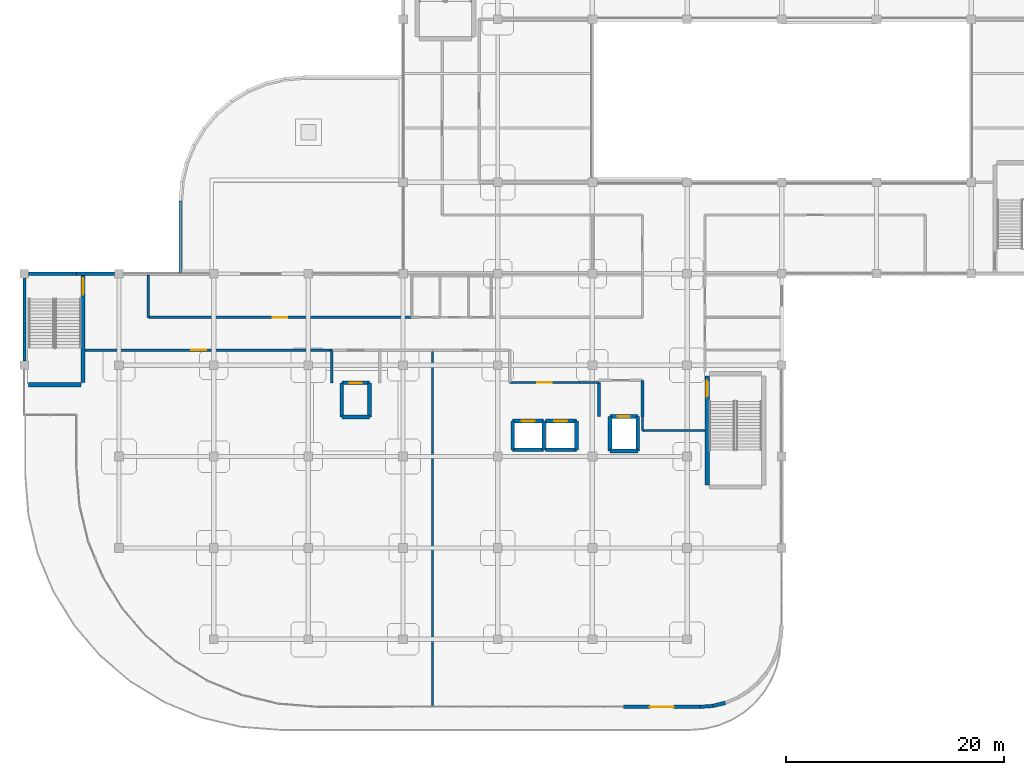
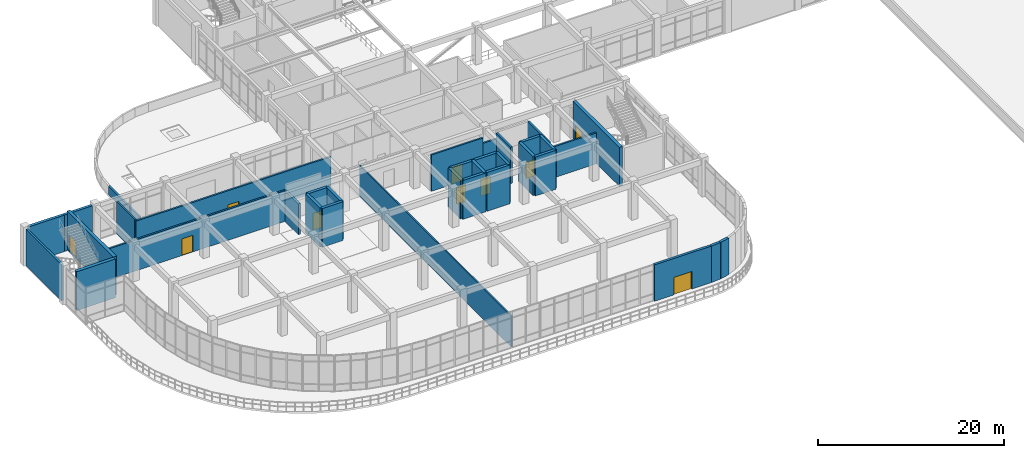
# One storey, part 104 of 124: 36 walls, 10 doors, 10 openings.
"""IFC4 building model written with IfcOpenShell, lengths in metres."""

from ifc_helpers import new_model, si_unit, derived_unit, direction, frame, frame_2d, origin, place, context, subcontext, project, spatial, rectangle, extrude, material, layer, layer_set, type_object, element, fill, save


model = new_model("IFC4")

# Units and contexts
model_context = context("Model", 3, precision=1e-05, world=origin(), true_north=direction((0.0, 1.0)))
body_context = subcontext(model_context, "Body", "Model", "MODEL_VIEW")
ifc_project = project(units=[si_unit("LENGTHUNIT", "METRE"), si_unit("AREAUNIT", "SQUARE_METRE"), si_unit("VOLUMEUNIT", "CUBIC_METRE"), si_unit("PLANEANGLEUNIT", "RADIAN"), si_unit("MASSUNIT", "GRAM", prefix="KILO"), derived_unit("THERMALTRANSMITTANCEUNIT", [(si_unit("MASSUNIT", "GRAM", prefix="KILO"), 1), (si_unit("TIMEUNIT", "SECOND"), -3), (si_unit("THERMODYNAMICTEMPERATUREUNIT", "KELVIN"), -1)])], contexts=[model_context])

# Site, building, storey
site_placement = place(None, origin())
site = spatial("IfcSite", under=ifc_project, at=site_placement, CompositionType="ELEMENT")
building_placement = place(site_placement, origin())
building = spatial("IfcBuilding", under=site, at=building_placement, Name="Qinzheling Arcade Emporium", CompositionType="ELEMENT")
storey_placement = place(building_placement, frame((0.0, 0.0, 16.5)))
storey = spatial("IfcBuildingStorey", under=building, at=storey_placement, Name="L04", CompositionType="ELEMENT", Elevation=16.5)

# Wall, opening, door
ifc_material_1 = material(Name="Double-stud acoustic gypsum board partition")
ifc_layer_1 = layer(ifc_material_1, 0.215087890625, Name="Double-stud acoustic gypsum board partition")
ifc_layer_set_1 = layer_set([ifc_layer_1], Name="Double-stud acoustic gypsum board partition")
wall_type_1 = type_object("IfcWallType", Name="Acoustic Corridor Partition Wall 215", PredefinedType="PARTITIONING", material=ifc_layer_set_1)
wall_1_placement = place(storey_placement, frame((44.60009765625, 32.0, 0.0), z_axis=(0.0, 0.0, 1.0), x_axis=(1.0, 0.0, 0.0)))
wall_1 = element("IfcWall", 1, at=wall_1_placement, inside=storey, type_object=wall_type_1, Name="Interior Wall WL-L04-INT-0598", PredefinedType="PARTITIONING", context=body_context, shape_type="SweptSolid", body=[
    extrude(rectangle(XDim=6.39990234375, YDim=0.215087890625, at=frame_2d((3.199951171875, 0.0))), origin(), (0.0, 0.0, 1.0), 4.760009765625),
])
opening_1_placement = place(wall_1_placement, frame((2.52490234375, 0.0, 0.0)))
opening_1 = element("IfcOpeningElement", 2, at=opening_1_placement, cuts=wall_1, Name="Opening FD05", PredefinedType="OPENING", context=body_context, shape_type="SweptSolid", body=[
    extrude(rectangle(XDim=1.35009765625, YDim=2.199951171875, at=frame_2d((0.675048828125, 1.10009765625))), frame((0.0, 0.11767578125, 0.0), z_axis=(0.0, -1.0, 0.0), x_axis=(1.0, 0.0, 0.0)), (0.0, 0.0, 1.0), 0.235107421875),
])
ifc_material_2 = material(Name="Class B fire-rated stainless-clad door")
door_type_1 = type_object("IfcDoorType", Name="Kitchen Fire-Rated Service Door 1350x2200", OperationType="NOTDEFINED", PredefinedType="DOOR", material=ifc_material_2)
door_1_placement = place(opening_1_placement, origin())
door_1 = element("IfcDoor", 3, at=door_1_placement, inside=storey, type_object=door_type_1, Name="FD05 Interior Door DR-L04-INT-0166", OperationType="SINGLE_SWING_LEFT", OverallHeight=2.199951171875, OverallWidth=1.35009765625, PredefinedType="DOOR", context=body_context, shape_type="SweptSolid", body=[
    extrude(rectangle(XDim=1.35009765625, YDim=2.199951171875, at=frame_2d((0.675048828125, 1.10009765625))), frame((0.0, 0.02490234375, 0.0), z_axis=(0.0, -1.0, 0.0), x_axis=(1.0, 0.0, 0.0)), (0.0, 0.0, 1.0), 0.050048828125),
])
fill(opening_1, door_1)

# Wall
wall_2_placement = place(storey_placement, frame((11.39990234375, 41.89990234375, 0.0), z_axis=(0.0, 0.0, 1.0), x_axis=(0.0, -1.0, 0.0)))
element("IfcWall", 4, at=wall_2_placement, inside=storey, type_object=wall_type_1, Name="Interior Wall WL-L04-INT-0639", PredefinedType="PARTITIONING", context=body_context, shape_type="SweptSolid", body=[
    extrude(rectangle(XDim=3.89990234375, YDim=0.215087890625, at=frame_2d((1.949951171875, 0.0))), origin(), (0.0, 0.0, 1.0), 4.260009765625),
])

# Wall, opening, door
wall_3_placement = place(storey_placement, frame((11.39990234375, 38.0, 0.0), z_axis=(0.0, 0.0, 1.0), x_axis=(1.0, 0.0, 0.0)))
wall_3 = element("IfcWall", 5, at=wall_3_placement, inside=storey, type_object=wall_type_1, Name="Interior Wall WL-L04-INT-0640", PredefinedType="PARTITIONING", context=body_context, shape_type="SweptSolid", body=[
    extrude(rectangle(XDim=24.2001953125, YDim=0.215087890625, at=frame_2d((12.10009765625, 0.0))), origin(), (0.0, 0.0, 1.0), 4.06005859375),
])
opening_2_placement = place(wall_3_placement, frame((11.425048828125, 0.0, 0.0)))
opening_2 = element("IfcOpeningElement", 6, at=opening_2_placement, cuts=wall_3, Name="Opening FD05", PredefinedType="OPENING", context=body_context, shape_type="SweptSolid", body=[
    extrude(rectangle(XDim=1.35009765625, YDim=2.199951171875, at=frame_2d((0.675048828125, 1.10009765625))), frame((0.0, 0.11767578125, 0.0), z_axis=(0.0, -1.0, 0.0), x_axis=(1.0, 0.0, 0.0)), (0.0, 0.0, 1.0), 0.235107421875),
])
door_2_placement = place(opening_2_placement, origin())
door_2 = element("IfcDoor", 7, at=door_2_placement, inside=storey, type_object=door_type_1, Name="FD05 Interior Door DR-L04-INT-0176", OperationType="SINGLE_SWING_LEFT", OverallHeight=2.199951171875, OverallWidth=1.35009765625, PredefinedType="DOOR", context=body_context, shape_type="SweptSolid", body=[
    extrude(rectangle(XDim=1.35009765625, YDim=2.199951171875, at=frame_2d((0.675048828125, 1.10009765625))), frame((0.0, 0.02490234375, 0.0), z_axis=(0.0, -1.0, 0.0), x_axis=(1.0, 0.0, 0.0)), (0.0, 0.0, 1.0), 0.050048828125),
])
fill(opening_2, door_2)

wall_4_placement = place(storey_placement, frame((28.25, 34.97998046875, 0.0), z_axis=(0.0, 0.0, 1.0), x_axis=(-1.0, 0.0, 0.0)))
wall_4 = element("IfcWall", 8, at=wall_4_placement, inside=storey, type_object=wall_type_1, Name="Interior Wall WL-L04-INT-0643", PredefinedType="PARTITIONING", context=body_context, shape_type="SweptSolid", body=[
    extrude(rectangle(XDim=22.655029296875, YDim=0.215087890625, at=frame_2d((11.32763671875, 0.0))), origin(), (0.0, 0.0, 1.0), 4.06005859375),
])
opening_3_placement = place(wall_4_placement, frame((11.552978515625, 0.0, 0.0)))
opening_3 = element("IfcOpeningElement", 9, at=opening_3_placement, cuts=wall_4, Name="Opening FD05", PredefinedType="OPENING", context=body_context, shape_type="SweptSolid", body=[
    extrude(rectangle(XDim=1.35009765625, YDim=2.199951171875, at=frame_2d((0.675048828125, 1.10009765625))), frame((0.0, 0.11767578125, 0.0), z_axis=(0.0, -1.0, 0.0), x_axis=(1.0, 0.0, 0.0)), (0.0, 0.0, 1.0), 0.235107421875),
])
door_3_placement = place(opening_3_placement, origin())
door_3 = element("IfcDoor", 10, at=door_3_placement, inside=storey, type_object=door_type_1, Name="FD05 Interior Door DR-L04-INT-0177", OperationType="SINGLE_SWING_RIGHT", OverallHeight=2.199951171875, OverallWidth=1.35009765625, PredefinedType="DOOR", context=body_context, shape_type="SweptSolid", body=[
    extrude(rectangle(XDim=1.35009765625, YDim=2.199951171875, at=frame_2d((0.675048828125, 1.10009765625))), frame((0.0, 0.02490234375, 0.0), z_axis=(0.0, -1.0, 0.0), x_axis=(1.0, 0.0, 0.0)), (0.0, 0.0, 1.0), 0.050048828125),
])
fill(opening_3, door_3)

# Walls
wall_5_placement = place(storey_placement, frame((52.800048828125, 32.0, 0.0), z_axis=(0.0, 0.0, 1.0), x_axis=(-1.0, 0.0, 0.0)))
element("IfcWall", 11, at=wall_5_placement, inside=storey, type_object=wall_type_1, Name="Interior Wall WL-L04-INT-0647", PredefinedType="PARTITIONING", context=body_context, shape_type="SweptSolid", body=[
    extrude(rectangle(XDim=1.800048828125, YDim=0.215087890625, at=frame_2d((0.89990234375, 0.0))), origin(), (0.0, 0.0, 1.0), 4.06005859375),
])
wall_6_placement = place(storey_placement, frame((62.544921875, 27.60009765625, 0.0), z_axis=(0.0, 0.0, 1.0), x_axis=(-1.0, 0.0, 0.0)))
element("IfcWall", 12, at=wall_6_placement, inside=storey, type_object=wall_type_1, Name="Interior Wall WL-L04-INT-0648", PredefinedType="PARTITIONING", context=body_context, shape_type="SweptSolid", body=[
    extrude(rectangle(XDim=5.744873046875, YDim=0.215087890625, at=frame_2d((2.87255859375, 0.0))), origin(), (0.0, 0.0, 1.0), 4.06005859375),
])
wall_7_placement = place(storey_placement, frame((56.800048828125, 27.60009765625, 0.0), z_axis=(0.0, 0.0, 1.0), x_axis=(0.0, 1.0, 0.0)))
element("IfcWall", 13, at=wall_7_placement, inside=storey, type_object=wall_type_1, Name="Interior Wall WL-L04-INT-0649", PredefinedType="PARTITIONING", context=body_context, shape_type="SweptSolid", body=[
    extrude(rectangle(XDim=1.27978515625, YDim=0.215087890625, at=frame_2d((0.639892578125, 0.0))), origin(), (0.0, 0.0, 1.0), 4.760009765625),
])
ifc_material_3 = material(Name="Insulated aluminium-clad spandrel wall", Category="aluminium")
ifc_layer_2 = layer(ifc_material_3, 0.260009765625, Name="Insulated aluminium-clad spandrel wall", Category="aluminium")
ifc_layer_set_2 = layer_set([ifc_layer_2], Name="Insulated aluminium-clad spandrel wall")
wall_type_2 = type_object("IfcWallType", Name="Arcade Clerestory Spandrel Wall 260", PredefinedType="STANDARD", material=ifc_layer_set_2)
wall_8_placement = place(storey_placement, frame((0.0, 34.001953125, 0.0), z_axis=(0.0, 0.0, 1.0), x_axis=(0.0, 1.0, 0.0)))
element("IfcWall", 14, at=wall_8_placement, inside=storey, type_object=wall_type_2, Name="Exterior Wall WL-L04-EW-0232", PredefinedType="STANDARD", context=body_context, shape_type="SweptSolid", body=[
    extrude(rectangle(XDim=7.595947265625, YDim=0.260009765625, at=frame_2d((3.7978515625, 0.0))), origin(), (0.0, 0.0, 1.0), 4.7900390625),
])
ifc_material_4 = material(Name="Demountable aluminium-and-gypsum retail partition", Category="aluminium")
ifc_layer_3 = layer(ifc_material_4, 0.1650390625, Name="Demountable aluminium-and-gypsum retail partition", Category="aluminium")
ifc_layer_set_3 = layer_set([ifc_layer_3], Name="Demountable aluminium-and-gypsum retail partition")
wall_type_3 = type_object("IfcWallType", Name="Boutique Demountable Partition Wall 165", PredefinedType="PARTITIONING", material=ifc_layer_set_3)
wall_9_placement = place(storey_placement, frame((37.5, 34.97998046875, 0.0), z_axis=(0.0, 0.0, 1.0), x_axis=(0.0, -1.0, 0.0)))
element("IfcWall", 15, at=wall_9_placement, inside=storey, type_object=wall_type_3, Name="Interior Wall WL-L04-INT-0680", PredefinedType="PARTITIONING", context=body_context, shape_type="SweptSolid", body=[
    extrude(rectangle(XDim=32.679931640625, YDim=0.1650390625, at=frame_2d((16.33984375, 0.0))), origin(), (0.0, 0.0, 1.0), 4.06005859375),
])
ifc_material_5 = material(Name="Celadon glazed terracotta insulated spandrel", Category="masonry")
ifc_layer_4 = layer(ifc_material_5, 0.340087890625, Name="Celadon glazed terracotta insulated spandrel", Category="masonry")
ifc_layer_set_4 = layer_set([ifc_layer_4], Name="Celadon glazed terracotta insulated spandrel")
wall_type_4 = type_object("IfcWallType", Name="Celadon Spandrel Infill Wall 340", PredefinedType="STANDARD", material=ifc_layer_set_4)
wall_10_placement = place(storey_placement, frame((64.41796875, 2.56689453125, 0.0), z_axis=(0.0, 0.0, 1.0), x_axis=(-0.97236847933, -0.233451366253, 0.0)))
element("IfcWall", 16, at=wall_10_placement, inside=storey, type_object=wall_type_4, Name="Exterior Wall WL-L04-EW-0229", PredefinedType="STANDARD", context=body_context, shape_type="SweptSolid", body=[
    extrude(rectangle(XDim=1.177490234375, YDim=0.340087890625, at=frame_2d((0.5888671875, 0.0))), origin(), (0.0, 0.0, 1.0), 4.7900390625),
])
wall_11_placement = place(storey_placement, frame((0.402099609375, 42.0, 0.0), z_axis=(0.0, 0.0, 1.0), x_axis=(1.0, 0.0, 0.0)))
element("IfcWall", 17, at=wall_11_placement, inside=storey, type_object=wall_type_4, Name="Exterior Wall WL-L04-EW-0233", PredefinedType="STANDARD", context=body_context, shape_type="SweptSolid", body=[
    extrude(rectangle(XDim=4.39794921875, YDim=0.340087890625, at=frame_2d((2.198974609375, 0.0))), origin(), (0.0, 0.0, 1.0), 4.7900390625),
])
ifc_material_6 = material(Name="Glazed cream terracotta insulated wall", Category="masonry")
ifc_layer_5 = layer(ifc_material_6, 0.320068359375, Name="Glazed cream terracotta insulated wall", Category="masonry")
ifc_layer_set_5 = layer_set([ifc_layer_5], Name="Glazed cream terracotta insulated wall")
wall_type_5 = type_object("IfcWallType", Name="Chicago Frame Infill Wall 320", PredefinedType="STANDARD", material=ifc_layer_set_5)
wall_12_placement = place(storey_placement, frame((63.27294921875, 2.2919921875, 0.0), z_axis=(0.0, 0.0, 1.0), x_axis=(-0.996934887725, -0.078235731197, 0.0)))
element("IfcWall", 18, at=wall_12_placement, inside=storey, type_object=wall_type_5, Name="Exterior Wall WL-L04-EW-0230", PredefinedType="STANDARD", context=body_context, shape_type="SweptSolid", body=[
    extrude(rectangle(XDim=1.176513671875, YDim=0.320068359375, at=frame_2d((0.58837890625, 0.0))), origin(), (0.0, 0.0, 1.0), 4.7900390625),
])
wall_13_placement = place(storey_placement, frame((4.800048828125, 42.0, 0.0), z_axis=(0.0, 0.0, 1.0), x_axis=(1.0, 0.0, 0.0)))
element("IfcWall", 19, at=wall_13_placement, inside=storey, type_object=wall_type_5, Name="Exterior Wall WL-L04-EW-0234", PredefinedType="STANDARD", context=body_context, shape_type="SweptSolid", body=[
    extrude(rectangle(XDim=3.498046875, YDim=0.320068359375, at=frame_2d((1.7490234375, 0.0))), origin(), (0.0, 0.0, 1.0), 4.7900390625),
])
ifc_material_7 = material(Name="Fire-rated double-stud gypsum and mineral wool wall")
ifc_layer_6 = layer(ifc_material_7, 0.2451171875, Name="Fire-rated double-stud gypsum and mineral wool wall")
ifc_layer_set_6 = layer_set([ifc_layer_6], Name="Fire-rated double-stud gypsum and mineral wool wall")
wall_type_6 = type_object("IfcWallType", Name="Firefighting Lobby Rated Wall 245", PredefinedType="STANDARD", material=ifc_layer_set_6)
wall_14_placement = place(storey_placement, frame((56.800048828125, 32.199951171875, 0.0), z_axis=(0.0, 0.0, 1.0), x_axis=(0.0, -1.0, 0.0)))
element("IfcWall", 20, at=wall_14_placement, inside=storey, type_object=wall_type_6, Name="Interior Wall WL-L04-INT-0590", PredefinedType="STANDARD", context=body_context, shape_type="SweptSolid", body=[
    extrude(rectangle(XDim=3.320068359375, YDim=0.2451171875, at=frame_2d((1.66015625, 0.0))), origin(), (0.0, 0.0, 1.0), 4.760009765625),
])
wall_15_placement = place(storey_placement, frame((52.800048828125, 28.8798828125, 0.0), z_axis=(0.0, 0.0, 1.0), x_axis=(0.0, 1.0, 0.0)))
element("IfcWall", 21, at=wall_15_placement, inside=storey, type_object=wall_type_6, Name="Interior Wall WL-L04-INT-0591", PredefinedType="STANDARD", context=body_context, shape_type="SweptSolid", body=[
    extrude(rectangle(XDim=3.1201171875, YDim=0.2451171875, at=frame_2d((1.56005859375, 0.0))), origin(), (0.0, 0.0, 1.0), 4.760009765625),
])
wall_16_placement = place(storey_placement, frame((28.25, 31.97998046875, 0.0), z_axis=(0.0, 0.0, 1.0), x_axis=(0.0, 1.0, 0.0)))
element("IfcWall", 22, at=wall_16_placement, inside=storey, type_object=wall_type_6, Name="Interior Wall WL-L04-INT-0593", PredefinedType="STANDARD", context=body_context, shape_type="SweptSolid", body=[
    extrude(rectangle(XDim=3.0, YDim=0.2451171875, at=frame_2d((1.5, 0.0))), origin(), (0.0, 0.0, 1.0), 4.06005859375),
])

# Wall, opening, door
ifc_material_8 = material(Name="Concrete C40", Category="concrete")
ifc_layer_7 = layer(ifc_material_8, 0.35009765625, Name="Concrete C40", Category="concrete")
ifc_layer_set_7 = layer_set([ifc_layer_7], Name="Concrete C40")
wall_type_7 = type_object("IfcWallType", Name="RC Lift Shaft Shear Wall 350 C40", PredefinedType="SHEAR", material=ifc_layer_set_7)
wall_17_placement = place(storey_placement, frame((53.824951171875, 28.875, 0.0), z_axis=(0.0, 0.0, 1.0), x_axis=(1.0, 0.0, 0.0)))
wall_17 = element("IfcWall", 23, at=wall_17_placement, inside=storey, type_object=wall_type_7, Name="Lift Shaft Wall WL-L04-LFT-LF01-N", PredefinedType="SHEAR", context=body_context, shape_type="SweptSolid", body=[
    extrude(rectangle(XDim=2.550048828125, YDim=0.35009765625, at=frame_2d((1.27490234375, 0.0))), origin(), (0.0, 0.0, 1.0), 5.10009765625),
])
opening_4_placement = place(wall_17_placement, frame((0.72509765625, 0.0, 0.0)))
opening_4 = element("IfcOpeningElement", 24, at=opening_4_placement, cuts=wall_17, Name="Opening LD01", PredefinedType="OPENING", context=body_context, shape_type="SweptSolid", body=[
    extrude(rectangle(XDim=1.10009765625, YDim=2.199951171875, at=frame_2d((0.550048828125, 1.10009765625))), frame((0.0, 0.18505859375, 0.0), z_axis=(0.0, -1.0, 0.0), x_axis=(1.0, 0.0, 0.0)), (0.0, 0.0, 1.0), 0.3701171875),
])
ifc_material_9 = material(Name="Fire-rated stainless steel sliding lift door", Category="steel")
door_type_2 = type_object("IfcDoorType", Name="Firefighting Lift Sliding Landing Door 1100x2200", OperationType="DOUBLE_DOOR_SLIDING", PredefinedType="DOOR", material=ifc_material_9)
door_4_placement = place(opening_4_placement, origin())
door_4 = element("IfcDoor", 25, at=door_4_placement, inside=storey, type_object=door_type_2, Name="LD01 Lift Landing Door LF01 L04", OperationType="DOUBLE_DOOR_SLIDING", OverallHeight=2.199951171875, OverallWidth=1.10009765625, PredefinedType="DOOR", context=body_context, shape_type="SweptSolid", body=[
    extrude(rectangle(XDim=1.10009765625, YDim=2.199951171875, at=frame_2d((0.550048828125, 1.10009765625))), frame((0.0, 0.02490234375, 0.0), z_axis=(0.0, -1.0, 0.0), x_axis=(1.0, 0.0, 0.0)), (0.0, 0.0, 1.0), 0.050048828125),
])
fill(opening_4, door_4)

# Walls
wall_18_placement = place(storey_placement, frame((56.375, 25.72509765625, 0.0), z_axis=(0.0, 0.0, 1.0), x_axis=(-1.0, 0.0, 0.0)))
element("IfcWall", 26, at=wall_18_placement, inside=storey, type_object=wall_type_7, Name="Lift Shaft Wall WL-L04-LFT-LF01-S", PredefinedType="SHEAR", context=body_context, shape_type="SweptSolid", body=[
    extrude(rectangle(XDim=2.550048828125, YDim=0.35009765625, at=frame_2d((1.27490234375, 0.0))), origin(), (0.0, 0.0, 1.0), 5.10009765625),
])
for number, where, z_axis, x_axis, name in (
    (27, (53.824951171875, 25.72509765625, 0.0), (0.0, 0.0, 1.0), (0.0, 1.0, 0.0), "Lift Shaft Wall WL-L04-LFT-LF01-W"),
    (28, (56.375, 28.875, 0.0), (0.0, 0.0, 1.0), (0.0, -1.0, 0.0), "Lift Shaft Wall WL-L04-LFT-LF01-E"),
):
    element("IfcWall", number, at=place(storey_placement, frame(where, z_axis=z_axis, x_axis=x_axis)), inside=storey, type_object=wall_type_7, Name=name, PredefinedType="SHEAR", context=body_context, shape_type="SweptSolid", body=[
        extrude(rectangle(XDim=3.14990234375, YDim=0.35009765625, at=frame_2d((1.574951171875, 0.0))), origin(), (0.0, 0.0, 1.0), 5.10009765625),
    ])

# Wall, opening, door
wall_19_placement = place(storey_placement, frame((29.175048828125, 31.97509765625, 0.0), z_axis=(0.0, 0.0, 1.0), x_axis=(1.0, 0.0, 0.0)))
wall_19 = element("IfcWall", 29, at=wall_19_placement, inside=storey, type_object=wall_type_7, Name="Lift Shaft Wall WL-L04-LFT-LF02-N", PredefinedType="SHEAR", context=body_context, shape_type="SweptSolid", body=[
    extrude(rectangle(XDim=2.550048828125, YDim=0.35009765625, at=frame_2d((1.27490234375, 0.0))), origin(), (0.0, 0.0, 1.0), 5.10009765625),
])
opening_5_placement = place(wall_19_placement, frame((0.72509765625, 0.0, 0.0)))
opening_5 = element("IfcOpeningElement", 30, at=opening_5_placement, cuts=wall_19, Name="Opening LD01", PredefinedType="OPENING", context=body_context, shape_type="SweptSolid", body=[
    extrude(rectangle(XDim=1.10009765625, YDim=2.199951171875, at=frame_2d((0.550048828125, 1.10009765625))), frame((0.0, 0.18505859375, 0.0), z_axis=(0.0, -1.0, 0.0), x_axis=(1.0, 0.0, 0.0)), (0.0, 0.0, 1.0), 0.3701171875),
])
door_5_placement = place(opening_5_placement, origin())
door_5 = element("IfcDoor", 31, at=door_5_placement, inside=storey, type_object=door_type_2, Name="LD01 Lift Landing Door LF02 L04", OperationType="DOUBLE_DOOR_SLIDING", OverallHeight=2.199951171875, OverallWidth=1.10009765625, PredefinedType="DOOR", context=body_context, shape_type="SweptSolid", body=[
    extrude(rectangle(XDim=1.10009765625, YDim=2.199951171875, at=frame_2d((0.550048828125, 1.10009765625))), frame((0.0, 0.02490234375, 0.0), z_axis=(0.0, -1.0, 0.0), x_axis=(1.0, 0.0, 0.0)), (0.0, 0.0, 1.0), 0.050048828125),
])
fill(opening_5, door_5)

# Walls
wall_20_placement = place(storey_placement, frame((31.72509765625, 28.824951171875, 0.0), z_axis=(0.0, 0.0, 1.0), x_axis=(-1.0, 0.0, 0.0)))
element("IfcWall", 32, at=wall_20_placement, inside=storey, type_object=wall_type_7, Name="Lift Shaft Wall WL-L04-LFT-LF02-S", PredefinedType="SHEAR", context=body_context, shape_type="SweptSolid", body=[
    extrude(rectangle(XDim=2.550048828125, YDim=0.35009765625, at=frame_2d((1.27490234375, 0.0))), origin(), (0.0, 0.0, 1.0), 5.10009765625),
])
for number, where, z_axis, x_axis, name in (
    (33, (29.175048828125, 28.824951171875, 0.0), (0.0, 0.0, 1.0), (0.0, 1.0, 0.0), "Lift Shaft Wall WL-L04-LFT-LF02-W"),
    (34, (31.72509765625, 31.97509765625, 0.0), (0.0, 0.0, 1.0), (0.0, -1.0, 0.0), "Lift Shaft Wall WL-L04-LFT-LF02-E"),
):
    element("IfcWall", number, at=place(storey_placement, frame(where, z_axis=z_axis, x_axis=x_axis)), inside=storey, type_object=wall_type_7, Name=name, PredefinedType="SHEAR", context=body_context, shape_type="SweptSolid", body=[
        extrude(rectangle(XDim=3.150146484375, YDim=0.35009765625, at=frame_2d((1.5751953125, 0.0))), origin(), (0.0, 0.0, 1.0), 5.10009765625),
    ])

# Wall, opening, door
wall_21_placement = place(storey_placement, frame((44.875, 28.47509765625, 0.0), z_axis=(0.0, 0.0, 1.0), x_axis=(1.0, 0.0, 0.0)))
wall_21 = element("IfcWall", 35, at=wall_21_placement, inside=storey, type_object=wall_type_7, Name="Lift Shaft Wall WL-L04-LFT-LP01-N", PredefinedType="SHEAR", context=body_context, shape_type="SweptSolid", body=[
    extrude(rectangle(XDim=2.85009765625, YDim=0.35009765625, at=frame_2d((1.425048828125, 0.0))), origin(), (0.0, 0.0, 1.0), 5.10009765625),
])
opening_6_placement = place(wall_21_placement, frame((0.824951171875, 0.0, 0.0)))
opening_6 = element("IfcOpeningElement", 36, at=opening_6_placement, cuts=wall_21, Name="Opening LD02", PredefinedType="OPENING", context=body_context, shape_type="SweptSolid", body=[
    extrude(rectangle(XDim=1.199951171875, YDim=2.199951171875, at=frame_2d((0.60009765625, 1.10009765625))), frame((0.0, 0.18505859375, 0.0), z_axis=(0.0, -1.0, 0.0), x_axis=(1.0, 0.0, 0.0)), (0.0, 0.0, 1.0), 0.3701171875),
])
ifc_material_10 = material(Name="Brushed bronze stainless sliding lift door")
door_type_3 = type_object("IfcDoorType", Name="Passenger Lift Sliding Landing Door 1200x2200", OperationType="DOUBLE_DOOR_SLIDING", PredefinedType="DOOR", material=ifc_material_10)
door_6_placement = place(opening_6_placement, origin())
door_6 = element("IfcDoor", 37, at=door_6_placement, inside=storey, type_object=door_type_3, Name="LD02 Lift Landing Door LP01 L04", OperationType="DOUBLE_DOOR_SLIDING", OverallHeight=2.199951171875, OverallWidth=1.199951171875, PredefinedType="DOOR", context=body_context, shape_type="SweptSolid", body=[
    extrude(rectangle(XDim=1.199951171875, YDim=2.199951171875, at=frame_2d((0.60009765625, 1.10009765625))), frame((0.0, 0.02490234375, 0.0), z_axis=(0.0, -1.0, 0.0), x_axis=(1.0, 0.0, 0.0)), (0.0, 0.0, 1.0), 0.050048828125),
])
fill(opening_6, door_6)

# Walls
wall_22_placement = place(storey_placement, frame((47.72509765625, 25.824951171875, 0.0), z_axis=(0.0, 0.0, 1.0), x_axis=(-1.0, 0.0, 0.0)))
element("IfcWall", 38, at=wall_22_placement, inside=storey, type_object=wall_type_7, Name="Lift Shaft Wall WL-L04-LFT-LP01-S", PredefinedType="SHEAR", context=body_context, shape_type="SweptSolid", body=[
    extrude(rectangle(XDim=2.85009765625, YDim=0.35009765625, at=frame_2d((1.425048828125, 0.0))), origin(), (0.0, 0.0, 1.0), 5.10009765625),
])
for number, where, z_axis, x_axis, name in (
    (39, (44.875, 25.824951171875, 0.0), (0.0, 0.0, 1.0), (0.0, 1.0, 0.0), "Lift Shaft Wall WL-L04-LFT-LP01-W"),
    (40, (47.72509765625, 28.47509765625, 0.0), (0.0, 0.0, 1.0), (0.0, -1.0, 0.0), "Lift Shaft Wall WL-L04-LFT-LP01-E"),
):
    element("IfcWall", number, at=place(storey_placement, frame(where, z_axis=z_axis, x_axis=x_axis)), inside=storey, type_object=wall_type_7, Name=name, PredefinedType="SHEAR", context=body_context, shape_type="SweptSolid", body=[
        extrude(rectangle(XDim=2.650146484375, YDim=0.35009765625, at=frame_2d((1.3251953125, 0.0))), origin(), (0.0, 0.0, 1.0), 5.10009765625),
    ])

# Wall, opening, door
wall_23_placement = place(storey_placement, frame((47.875, 28.47509765625, 0.0), z_axis=(0.0, 0.0, 1.0), x_axis=(1.0, 0.0, 0.0)))
wall_23 = element("IfcWall", 41, at=wall_23_placement, inside=storey, type_object=wall_type_7, Name="Lift Shaft Wall WL-L04-LFT-LP02-N", PredefinedType="SHEAR", context=body_context, shape_type="SweptSolid", body=[
    extrude(rectangle(XDim=2.85009765625, YDim=0.35009765625, at=frame_2d((1.425048828125, 0.0))), origin(), (0.0, 0.0, 1.0), 5.10009765625),
])
opening_7_placement = place(wall_23_placement, frame((0.824951171875, 0.0, 0.0)))
opening_7 = element("IfcOpeningElement", 42, at=opening_7_placement, cuts=wall_23, Name="Opening LD02", PredefinedType="OPENING", context=body_context, shape_type="SweptSolid", body=[
    extrude(rectangle(XDim=1.199951171875, YDim=2.199951171875, at=frame_2d((0.60009765625, 1.10009765625))), frame((0.0, 0.18505859375, 0.0), z_axis=(0.0, -1.0, 0.0), x_axis=(1.0, 0.0, 0.0)), (0.0, 0.0, 1.0), 0.3701171875),
])
door_7_placement = place(opening_7_placement, origin())
door_7 = element("IfcDoor", 43, at=door_7_placement, inside=storey, type_object=door_type_3, Name="LD02 Lift Landing Door LP02 L04", OperationType="DOUBLE_DOOR_SLIDING", OverallHeight=2.199951171875, OverallWidth=1.199951171875, PredefinedType="DOOR", context=body_context, shape_type="SweptSolid", body=[
    extrude(rectangle(XDim=1.199951171875, YDim=2.199951171875, at=frame_2d((0.60009765625, 1.10009765625))), frame((0.0, 0.02490234375, 0.0), z_axis=(0.0, -1.0, 0.0), x_axis=(1.0, 0.0, 0.0)), (0.0, 0.0, 1.0), 0.050048828125),
])
fill(opening_7, door_7)

# Walls
wall_24_placement = place(storey_placement, frame((50.72509765625, 25.824951171875, 0.0), z_axis=(0.0, 0.0, 1.0), x_axis=(-1.0, 0.0, 0.0)))
element("IfcWall", 44, at=wall_24_placement, inside=storey, type_object=wall_type_7, Name="Lift Shaft Wall WL-L04-LFT-LP02-S", PredefinedType="SHEAR", context=body_context, shape_type="SweptSolid", body=[
    extrude(rectangle(XDim=2.85009765625, YDim=0.35009765625, at=frame_2d((1.425048828125, 0.0))), origin(), (0.0, 0.0, 1.0), 5.10009765625),
])
wall_25_placement = place(storey_placement, frame((50.72509765625, 28.47509765625, 0.0), z_axis=(0.0, 0.0, 1.0), x_axis=(0.0, -1.0, 0.0)))
element("IfcWall", 45, at=wall_25_placement, inside=storey, type_object=wall_type_7, Name="Lift Shaft Wall WL-L04-LFT-LP02-E", PredefinedType="SHEAR", context=body_context, shape_type="SweptSolid", body=[
    extrude(rectangle(XDim=2.650146484375, YDim=0.35009765625, at=frame_2d((1.3251953125, 0.0))), origin(), (0.0, 0.0, 1.0), 5.10009765625),
])

# Wall, opening, door
ifc_material_11 = material(Name="Concrete C50", Category="concrete")
ifc_layer_8 = layer(ifc_material_11, 0.39990234375, Name="Concrete C50", Category="concrete")
ifc_layer_set_8 = layer_set([ifc_layer_8], Name="Concrete C50")
wall_type_8 = type_object("IfcWallType", Name="RC Stair Core Shear Wall 400 C50", PredefinedType="SHEAR", material=ifc_layer_set_8)
wall_26_placement = place(storey_placement, frame((62.75, 22.60009765625, 0.0), z_axis=(0.0, 0.0, 1.0), x_axis=(0.0, 1.0, 0.0)))
wall_26 = element("IfcWall", 46, at=wall_26_placement, inside=storey, type_object=wall_type_8, Name="Stair Core Wall WL-L04-ST01-WEST", PredefinedType="SHEAR", context=body_context, shape_type="SweptSolid", body=[
    extrude(rectangle(XDim=10.0, YDim=0.39990234375, at=frame_2d((5.0, 0.0))), origin(), (0.0, 0.0, 1.0), 5.10009765625),
])
opening_8_placement = place(wall_26_placement, frame((8.090087890625, 0.0, 0.0)))
opening_8 = element("IfcOpeningElement", 47, at=opening_8_placement, cuts=wall_26, Name="Opening FD01", PredefinedType="OPENING", context=body_context, shape_type="SweptSolid", body=[
    extrude(rectangle(XDim=1.5, YDim=2.199951171875, at=frame_2d((0.75, 1.10009765625))), frame((0.0, 0.2099609375, 0.0), z_axis=(0.0, -1.0, 0.0), x_axis=(1.0, 0.0, 0.0)), (0.0, 0.0, 1.0), 0.419921875),
])
ifc_material_12 = material(Name="Class A fire-rated steel double door", Category="steel")
door_type_4 = type_object("IfcDoorType", Name="Stairwell Smoke-Proof Fire Door 1500x2200", OperationType="DOUBLE_DOOR_SINGLE_SWING", PredefinedType="DOOR", material=ifc_material_12)
door_8_placement = place(opening_8_placement, origin())
door_8 = element("IfcDoor", 48, at=door_8_placement, inside=storey, type_object=door_type_4, Name="FD01 Stairwell Fire Door DR-L04-ST01-FD", OperationType="DOUBLE_DOOR_SINGLE_SWING", OverallHeight=2.199951171875, OverallWidth=1.5, PredefinedType="DOOR", context=body_context, shape_type="SweptSolid", body=[
    extrude(rectangle(XDim=1.5, YDim=2.199951171875, at=frame_2d((0.75, 1.10009765625))), frame((0.0, 0.02490234375, 0.0), z_axis=(0.0, -1.0, 0.0), x_axis=(1.0, 0.0, 0.0)), (0.0, 0.0, 1.0), 0.050048828125),
])
fill(opening_8, door_8)

wall_27_placement = place(storey_placement, frame((5.389892578125, 42.0, 0.0), z_axis=(0.0, 0.0, 1.0), x_axis=(0.0, -1.0, 0.0)))
wall_27 = element("IfcWall", 49, at=wall_27_placement, inside=storey, type_object=wall_type_8, Name="Stair Core Wall WL-L04-ST02-EAST", PredefinedType="SHEAR", context=body_context, shape_type="SweptSolid", body=[
    extrude(rectangle(XDim=10.0, YDim=0.39990234375, at=frame_2d((5.0, 0.0))), origin(), (0.0, 0.0, 1.0), 5.10009765625),
])
opening_9_placement = place(wall_27_placement, frame((0.409912109375, 0.0, 0.0)))
opening_9 = element("IfcOpeningElement", 50, at=opening_9_placement, cuts=wall_27, Name="Opening FD01", PredefinedType="OPENING", context=body_context, shape_type="SweptSolid", body=[
    extrude(rectangle(XDim=1.5, YDim=2.199951171875, at=frame_2d((0.75, 1.10009765625))), frame((0.0, 0.2099609375, 0.0), z_axis=(0.0, -1.0, 0.0), x_axis=(1.0, 0.0, 0.0)), (0.0, 0.0, 1.0), 0.419921875),
])
door_9_placement = place(opening_9_placement, origin())
door_9 = element("IfcDoor", 51, at=door_9_placement, inside=storey, type_object=door_type_4, Name="FD01 Stairwell Fire Door DR-L04-ST02-FD", OperationType="DOUBLE_DOOR_SINGLE_SWING", OverallHeight=2.199951171875, OverallWidth=1.5, PredefinedType="DOOR", context=body_context, shape_type="SweptSolid", body=[
    extrude(rectangle(XDim=1.5, YDim=2.199951171875, at=frame_2d((0.75, 1.10009765625))), frame((0.0, 0.02490234375, 0.0), z_axis=(0.0, -1.0, 0.0), x_axis=(1.0, 0.0, 0.0)), (0.0, 0.0, 1.0), 0.050048828125),
])
fill(opening_9, door_9)

# Wall
wall_28_placement = place(storey_placement, frame((5.18994140625, 31.800048828125, 0.0), z_axis=(0.0, 0.0, 1.0), x_axis=(-1.0, 0.0, 0.0)))
element("IfcWall", 52, at=wall_28_placement, inside=storey, type_object=wall_type_8, Name="Stair Core Wall WL-L04-ST02-SOUTH", PredefinedType="SHEAR", context=body_context, shape_type="SweptSolid", body=[
    extrude(rectangle(XDim=4.7900390625, YDim=0.39990234375, at=frame_2d((2.39501953125, 0.0))), origin(), (0.0, 0.0, 1.0), 5.10009765625),
])

# Wall, opening, door
ifc_layer_9 = layer(ifc_material_6, 0.300048828125, Name="Glazed cream terracotta insulated wall", Category="masonry")
ifc_layer_set_9 = layer_set([ifc_layer_9], Name="Glazed cream terracotta insulated wall")
wall_type_9 = type_object("IfcWallType", Name="Terrace Facade Infill Wall 300", PredefinedType="STANDARD", material=ifc_layer_set_9)
wall_29_placement = place(storey_placement, frame((62.10009765625, 2.199951171875, 0.0), z_axis=(0.0, 0.0, 1.0), x_axis=(-1.0, 0.0, 0.0)))
wall_29 = element("IfcWall", 53, at=wall_29_placement, inside=storey, type_object=wall_type_9, Name="Exterior Wall WL-L04-EW-0231", PredefinedType="STANDARD", context=body_context, shape_type="SweptSolid", body=[
    extrude(rectangle(XDim=7.05810546875, YDim=0.300048828125, at=frame_2d((3.529052734375, 0.0))), origin(), (0.0, 0.0, 1.0), 4.7900390625),
])
opening_10_placement = place(wall_29_placement, frame((2.428955078125, 0.0, 0.0)))
opening_10 = element("IfcOpeningElement", 54, at=opening_10_placement, cuts=wall_29, Name="Opening TD01", PredefinedType="OPENING", context=body_context, shape_type="SweptSolid", body=[
    extrude(rectangle(XDim=2.199951171875, YDim=2.300048828125, at=frame_2d((1.10009765625, 1.14990234375))), frame((0.0, 0.16015625, 0.0), z_axis=(0.0, -1.0, 0.0), x_axis=(1.0, 0.0, 0.0)), (0.0, 0.0, 1.0), 0.320068359375),
])
ifc_material_13 = material(Name="Thermally broken aluminium and double glass", Category="aluminium")
door_type_5 = type_object("IfcDoorType", Name="Curved Sales Terrace Double Door 2200x2300", OperationType="DOUBLE_DOOR_SINGLE_SWING", PredefinedType="DOOR", material=ifc_material_13)
door_10_placement = place(opening_10_placement, origin())
door_10 = element("IfcDoor", 55, at=door_10_placement, inside=storey, type_object=door_type_5, Name="TD01 Exterior Door DR-L04-EXT-034", OperationType="DOUBLE_DOOR_SINGLE_SWING", OverallHeight=2.300048828125, OverallWidth=2.199951171875, PredefinedType="DOOR", context=body_context, shape_type="SweptSolid", body=[
    extrude(rectangle(XDim=2.199951171875, YDim=2.300048828125, at=frame_2d((1.10009765625, 1.14990234375))), frame((0.0, 0.02490234375, 0.0), z_axis=(0.0, -1.0, 0.0), x_axis=(1.0, 0.0, 0.0)), (0.0, 0.0, 1.0), 0.050048828125),
])
fill(opening_10, door_10)

# Wall
ifc_material_14 = material(Name="Precast concrete C40 with terracotta coping", Category="masonry")
ifc_layer_10 = layer(ifc_material_14, 0.219970703125, Name="Precast concrete C40 with terracotta coping", Category="masonry")
ifc_layer_set_10 = layer_set([ifc_layer_10], Name="Precast concrete C40 with terracotta coping")
wall_type_10 = type_object("IfcWallType", Name="Terracotta Coping Roof Parapet 220", PredefinedType="PARAPET", material=ifc_layer_set_10)
wall_30_placement = place(storey_placement, frame((14.31005859375, 42.110107421875, 0.0), z_axis=(0.0, 0.0, 1.0), x_axis=(0.0, 1.0, 0.0)))
element("IfcWall", 56, at=wall_30_placement, inside=storey, type_object=wall_type_10, Name="Roof Parapet WL-L04-PW-001", PredefinedType="PARAPET", context=body_context, shape_type="SweptSolid", body=[
    extrude(rectangle(XDim=6.5859375, YDim=0.219970703125, at=frame_2d((3.29296875, 0.0))), origin(), (0.0, 0.0, 1.0), 1.14990234375),
])

save(model, "model.ifc")
